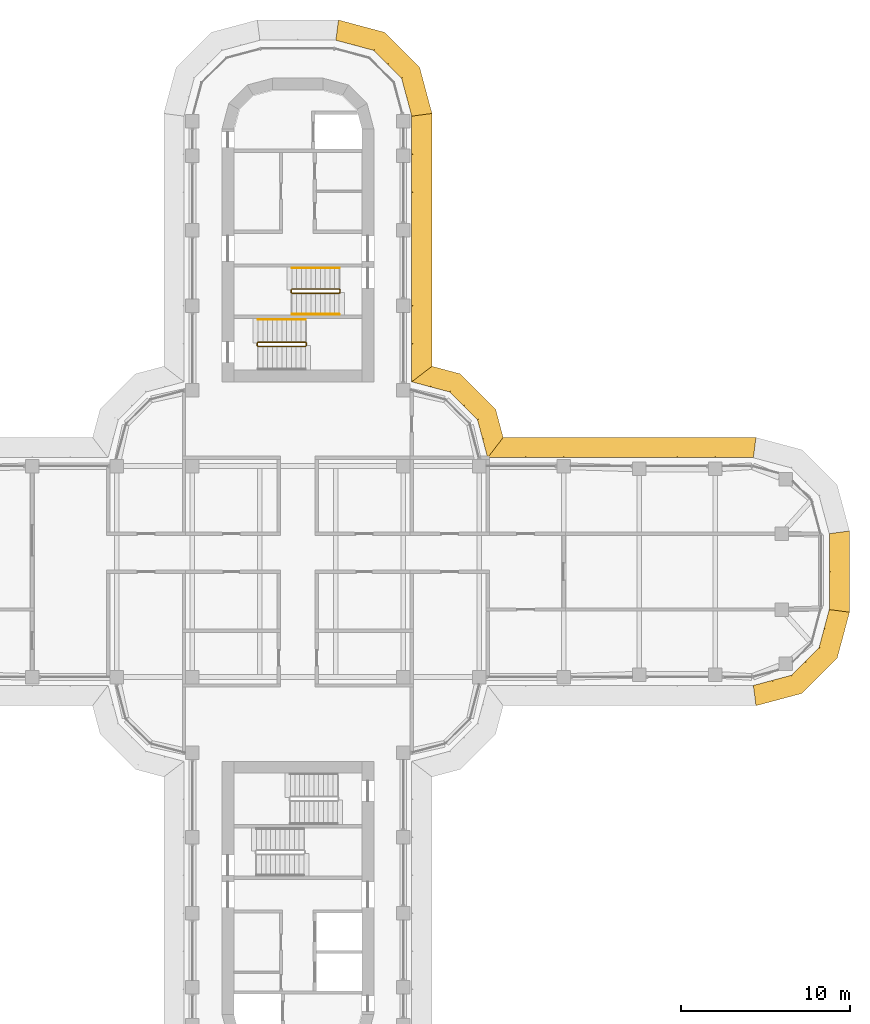
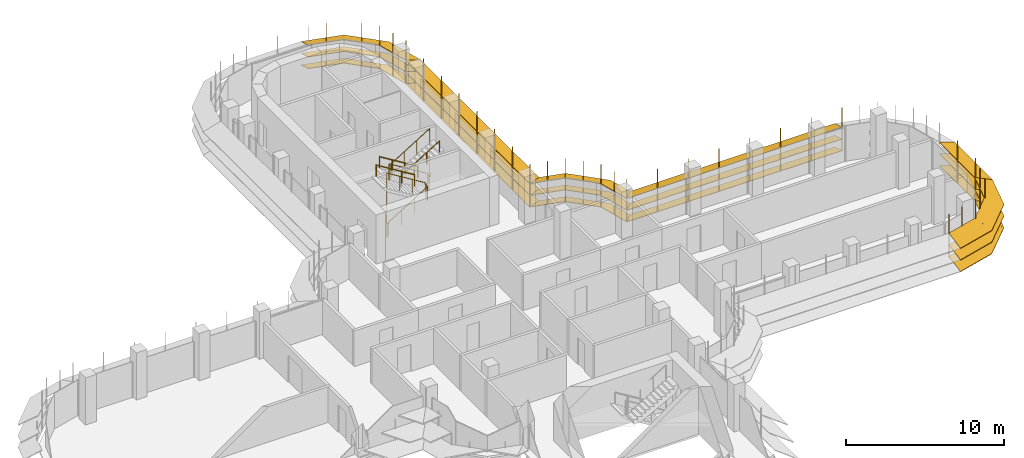
# One storey, part 18 of 19: 6 shading devices, 5 railings.
"""IFC4 building model written with IfcOpenShell, lengths in metres."""

from ifc_helpers import new_model, si_unit, direction, frame, origin, origin_2d, place, context, subcontext, project, spatial, polyline, circle, outline, extrude, faceted_brep, source, transform, mapped, material, type_object, element, save


model = new_model("IFC4")

# Units and contexts
model_context = context("Model", 3, precision=1e-05, world=origin(), true_north=direction((0.0, 1.0)))
body_context = subcontext(model_context, "Body", "Model", "MODEL_VIEW")
ifc_project = project(units=[si_unit("LENGTHUNIT", "METRE"), si_unit("AREAUNIT", "SQUARE_METRE"), si_unit("VOLUMEUNIT", "CUBIC_METRE"), si_unit("PLANEANGLEUNIT", "RADIAN"), si_unit("MASSUNIT", "GRAM", prefix="KILO")], contexts=[model_context])

# Site, building, storey
site_placement = place(None, origin())
site = spatial("IfcSite", under=ifc_project, at=site_placement, CompositionType="ELEMENT")
building_placement = place(site_placement, origin())
building = spatial("IfcBuilding", under=site, at=building_placement, Name="Zarbagh Exchange Tower", CompositionType="ELEMENT")
storey_placement = place(building_placement, frame((0.0, 0.0, 179.0)))
storey = spatial("IfcBuildingStorey", under=building, at=storey_placement, Name="L43", CompositionType="ELEMENT", Elevation=179.0)

# Railings
ifc_material_1 = material(Name="Stainless steel", Category="steel")
railing_type_1 = type_object("IfcRailingType", Name="Stair guard 1100 mm", PredefinedType="GUARDRAIL", material=ifc_material_1)
railing_1_placement = place(storey_placement, frame((-0.35009765625, 16.5, 2.07275390625)))
element("IfcRailing", 1, at=railing_1_placement, inside=storey, type_object=railing_type_1, Name="ST1 stair guard 1", PredefinedType="GUARDRAIL", context=body_context, shape_type="SweptSolid", body=[
    extrude(circle(Radius=0.02392578125, at=origin_2d()), frame((0.0, 0.0, 1.076171875), z_axis=(0.851089632645, 0.0, 0.525020415988), x_axis=(0.0, 1.0, 0.0)), (0.0, 0.0, 1.0), 3.2900390625),
    extrude(circle(Radius=0.02392578125, at=origin_2d()), frame((2.800048828125, 0.0, 2.80322265625), z_axis=(0.013168290981, 0.013168290981, -0.999826581076), x_axis=(-0.707106781187, 0.707106781187, 0.0)), (0.0, 0.0, 1.0), 3.80078125),
    extrude(circle(Radius=0.02392578125, at=origin_2d()), frame((2.85009765625, 0.050048828125, -0.99658203125), z_axis=(0.0, 1.0, 0.0), x_axis=(-1.0, 0.0, 0.0)), (0.0, 0.0, 1.0), 0.14990234375),
    extrude(circle(Radius=0.02392578125, at=origin_2d()), frame((2.85009765625, 0.199951171875, -0.99658203125), z_axis=(-0.268277960024, 0.268277960024, 0.925231793839), x_axis=(-0.707106781187, -0.707106781187, 0.0)), (0.0, 0.0, 1.0), 0.1865234375),
    extrude(circle(Radius=0.02392578125, at=origin_2d()), frame((2.800048828125, 0.25, -0.82421875), z_axis=(-0.851089632645, 0.0, 0.525020415988), x_axis=(0.0, -1.0, 0.0)), (0.0, 0.0, 1.0), 3.2900390625),
    extrude(circle(Radius=0.02392578125, at=origin_2d()), frame((0.0, 0.25, 0.9033203125), z_axis=(-0.705375805398, -0.708833529934, 0.0), x_axis=(0.708833529934, -0.705375805398, 0.0)), (0.0, 0.0, 1.0), 0.070556640625),
    extrude(circle(Radius=0.02392578125, at=origin_2d()), frame((-0.0498046875, 0.199951171875, 0.9033203125), z_axis=(0.0, -1.0, 0.0), x_axis=(1.0, 0.0, 0.0)), (0.0, 0.0, 1.0), 0.14990234375),
    extrude(circle(Radius=0.02099609375, at=origin_2d()), origin(), (0.0, 0.0, 1.0), 1.052001953125),
    extrude(circle(Radius=0.02099609375, at=origin_2d()), frame((0.933349609375, 0.0, 0.57568359375)), (0.0, 0.0, 1.0), 1.052001953125),
    extrude(circle(Radius=0.02099609375, at=origin_2d()), frame((1.86669921875, 0.0, 1.151611328125)), (0.0, 0.0, 1.0), 1.052001953125),
    extrude(circle(Radius=0.02099609375, at=origin_2d()), frame((2.800048828125, 0.0, 1.727294921875)), (0.0, 0.0, 1.0), 1.052001953125),
    extrude(circle(Radius=0.02099609375, at=origin_2d()), frame((2.8125, 0.012451171875, 0.77734375)), (0.0, 0.0, 1.0), 1.052001953125),
    extrude(circle(Radius=0.02099609375, at=origin_2d()), frame((2.8251953125, 0.02490234375, -0.1728515625)), (0.0, 0.0, 1.0), 1.052001953125),
    extrude(circle(Radius=0.02099609375, at=origin_2d()), frame((2.837646484375, 0.03759765625, -1.122802734375)), (0.0, 0.0, 1.0), 1.052001953125),
    extrude(circle(Radius=0.02099609375, at=origin_2d()), frame((2.85009765625, 0.050048828125, -2.07275390625)), (0.0, 0.0, 1.0), 1.052001953125),
    extrude(circle(Radius=0.02099609375, at=origin_2d()), frame((2.85009765625, 0.199951171875, -2.07275390625)), (0.0, 0.0, 1.0), 1.052001953125),
    extrude(circle(Radius=0.02099609375, at=origin_2d()), frame((2.800048828125, 0.25, -1.900146484375)), (0.0, 0.0, 1.0), 1.052001953125),
    extrude(circle(Radius=0.02099609375, at=origin_2d()), frame((1.86669921875, 0.25, -1.324462890625)), (0.0, 0.0, 1.0), 1.052001953125),
    extrude(circle(Radius=0.02099609375, at=origin_2d()), frame((0.933349609375, 0.25, -0.74853515625)), (0.0, 0.0, 1.0), 1.052001953125),
    extrude(circle(Radius=0.02099609375, at=origin_2d()), frame((0.0, 0.25, -0.1728515625)), (0.0, 0.0, 1.0), 1.052001953125),
    extrude(circle(Radius=0.02099609375, at=origin_2d()), frame((-0.0498046875, 0.199951171875, -0.1728515625)), (0.0, 0.0, 1.0), 1.052001953125),
    extrude(circle(Radius=0.02099609375, at=origin_2d()), frame((-0.0498046875, 0.050048828125, -0.1728515625)), (0.0, 0.0, 1.0), 1.052001953125),
])
railing_2_placement = place(storey_placement, frame((0.5, 13.39990234375, 1.89990234375)))
element("IfcRailing", 2, at=railing_2_placement, inside=storey, type_object=railing_type_1, Name="ST2 stair guard 1", PredefinedType="GUARDRAIL", context=body_context, shape_type="SweptSolid", body=[
    extrude(circle(Radius=0.02392578125, at=origin_2d()), frame((0.0, 0.0, 1.076171875), z_axis=(0.0, 1.0, 0.0), x_axis=(-1.0, 0.0, 0.0)), (0.0, 0.0, 1.0), 0.150146484375),
    extrude(circle(Radius=0.02392578125, at=origin_2d()), frame((0.0, 0.150146484375, 1.076171875), z_axis=(-0.267953482034, 0.267953482034, 0.925419830635), x_axis=(-0.707106781187, -0.707106781187, 0.0)), (0.0, 0.0, 1.0), 0.186767578125),
    extrude(circle(Radius=0.02392578125, at=origin_2d()), frame((-0.050048828125, 0.2001953125, 1.2490234375), z_axis=(-0.851089632645, 0.0, 0.525020415988), x_axis=(0.0, -1.0, 0.0)), (0.0, 0.0, 1.0), 3.2900390625),
    extrude(circle(Radius=0.02392578125, at=origin_2d()), frame((-2.85009765625, 0.2001953125, 2.97607421875), z_axis=(-0.013104066473, -0.013168302093, -0.99982742474), x_axis=(0.708833529934, -0.705375805398, 0.0)), (0.0, 0.0, 1.0), 3.80078125),
    extrude(circle(Radius=0.02392578125, at=origin_2d()), frame((-2.89990234375, 0.150146484375, -0.82373046875), z_axis=(0.0, -1.0, 0.0), x_axis=(1.0, 0.0, 0.0)), (0.0, 0.0, 1.0), 0.150146484375),
    extrude(circle(Radius=0.02392578125, at=origin_2d()), frame((-2.89990234375, 0.0, -0.82373046875), z_axis=(0.26715648603, -0.26715648603, 0.925880566782), x_axis=(0.707106781187, 0.707106781187, 0.0)), (0.0, 0.0, 1.0), 0.1865234375),
    extrude(circle(Radius=0.02392578125, at=origin_2d()), frame((-2.85009765625, -0.0498046875, -0.6513671875), z_axis=(0.851089632645, 0.0, 0.525020415988), x_axis=(0.0, 1.0, 0.0)), (0.0, 0.0, 1.0), 3.2900390625),
    extrude(circle(Radius=0.02099609375, at=origin_2d()), origin(), (0.0, 0.0, 1.0), 1.052001953125),
    extrude(circle(Radius=0.02099609375, at=origin_2d()), frame((0.0, 0.150146484375, 0.0)), (0.0, 0.0, 1.0), 1.052001953125),
    extrude(circle(Radius=0.02099609375, at=origin_2d()), frame((-0.050048828125, 0.2001953125, 0.1728515625)), (0.0, 0.0, 1.0), 1.052001953125),
    extrude(circle(Radius=0.02099609375, at=origin_2d()), frame((-0.9833984375, 0.2001953125, 0.74853515625)), (0.0, 0.0, 1.0), 1.052001953125),
    extrude(circle(Radius=0.02099609375, at=origin_2d()), frame((-1.916748046875, 0.2001953125, 1.324462890625)), (0.0, 0.0, 1.0), 1.052001953125),
    extrude(circle(Radius=0.02099609375, at=origin_2d()), frame((-2.85009765625, 0.2001953125, 1.900146484375)), (0.0, 0.0, 1.0), 1.052001953125),
    extrude(circle(Radius=0.02099609375, at=origin_2d()), frame((-2.862548828125, 0.187744140625, 0.9501953125)), (0.0, 0.0, 1.0), 1.052001953125),
    extrude(circle(Radius=0.02099609375, at=origin_2d()), frame((-2.875, 0.17529296875, 0.0)), (0.0, 0.0, 1.0), 1.052001953125),
    extrude(circle(Radius=0.02099609375, at=origin_2d()), frame((-2.887451171875, 0.16259765625, -0.949951171875)), (0.0, 0.0, 1.0), 1.052001953125),
    extrude(circle(Radius=0.02099609375, at=origin_2d()), frame((-2.89990234375, 0.150146484375, -1.89990234375)), (0.0, 0.0, 1.0), 1.052001953125),
    extrude(circle(Radius=0.02099609375, at=origin_2d()), frame((-2.89990234375, 0.0, -1.89990234375)), (0.0, 0.0, 1.0), 1.052001953125),
    extrude(circle(Radius=0.02099609375, at=origin_2d()), frame((-2.85009765625, -0.0498046875, -1.727294921875)), (0.0, 0.0, 1.0), 1.052001953125),
    extrude(circle(Radius=0.02099609375, at=origin_2d()), frame((-1.916748046875, -0.0498046875, -1.151611328125)), (0.0, 0.0, 1.0), 1.052001953125),
    extrude(circle(Radius=0.02099609375, at=origin_2d()), frame((-0.9833984375, -0.0498046875, -0.57568359375)), (0.0, 0.0, 1.0), 1.052001953125),
    extrude(circle(Radius=0.02099609375, at=origin_2d()), frame((-0.050048828125, -0.0498046875, 0.0)), (0.0, 0.0, 1.0), 1.052001953125),
])
railing_type_2 = type_object("IfcRailingType", Name="Stair handrail 900 mm", PredefinedType="HANDRAIL", material=ifc_material_1)
railing_3_placement = place(storey_placement, frame((2.449951171875, 18.0, 0.172607421875)))
element("IfcRailing", 3, at=railing_3_placement, inside=storey, type_object=railing_type_2, Name="ST1 stair handrail 1", PredefinedType="HANDRAIL", context=body_context, shape_type="SweptSolid", body=[
    extrude(circle(Radius=0.02392578125, at=origin_2d()), frame((0.0, 0.0, 0.8759765625), z_axis=(-0.851089632645, 0.0, 0.525020415988), x_axis=(0.0, -1.0, 0.0)), (0.0, 0.0, 1.0), 3.2900390625),
    extrude(circle(Radius=0.02099609375, at=origin_2d()), origin(), (0.0, 0.0, 1.0), 0.851806640625),
    extrude(circle(Radius=0.02099609375, at=origin_2d()), frame((-0.933349609375, 0.0, 0.57568359375)), (0.0, 0.0, 1.0), 0.851806640625),
    extrude(circle(Radius=0.02099609375, at=origin_2d()), frame((-1.86669921875, 0.0, 1.151611328125)), (0.0, 0.0, 1.0), 0.851806640625),
    extrude(circle(Radius=0.02099609375, at=origin_2d()), frame((-2.800048828125, 0.0, 1.727294921875)), (0.0, 0.0, 1.0), 0.851806640625),
])
railing_4_placement = place(storey_placement, frame((-0.35009765625, 15.25, 2.07275390625)))
element("IfcRailing", 4, at=railing_4_placement, inside=storey, type_object=railing_type_2, Name="ST1 stair handrail 2", PredefinedType="HANDRAIL", context=body_context, shape_type="SweptSolid", body=[
    extrude(circle(Radius=0.02392578125, at=origin_2d()), frame((0.0, 0.0, 0.8759765625), z_axis=(0.851089632645, 0.0, 0.525020415988), x_axis=(0.0, 1.0, 0.0)), (0.0, 0.0, 1.0), 3.2900390625),
    extrude(circle(Radius=0.02099609375, at=origin_2d()), origin(), (0.0, 0.0, 1.0), 0.851806640625),
    extrude(circle(Radius=0.02099609375, at=origin_2d()), frame((0.933349609375, 0.0, 0.57568359375)), (0.0, 0.0, 1.0), 0.851806640625),
    extrude(circle(Radius=0.02099609375, at=origin_2d()), frame((1.86669921875, 0.0, 1.151611328125)), (0.0, 0.0, 1.0), 0.851806640625),
    extrude(circle(Radius=0.02099609375, at=origin_2d()), frame((2.800048828125, 0.0, 1.727294921875)), (0.0, 0.0, 1.0), 0.851806640625),
])
railing_5_placement = place(storey_placement, frame((0.449951171875, 14.949951171875, 2.07275390625)))
element("IfcRailing", 5, at=railing_5_placement, inside=storey, type_object=railing_type_2, Name="ST2 stair handrail 2", PredefinedType="HANDRAIL", context=body_context, shape_type="SweptSolid", body=[
    extrude(circle(Radius=0.02392578125, at=origin_2d()), frame((0.0, 0.0, 0.8759765625), z_axis=(-0.851089632645, 0.0, 0.525020415988), x_axis=(0.0, -1.0, 0.0)), (0.0, 0.0, 1.0), 3.2900390625),
    extrude(circle(Radius=0.02099609375, at=origin_2d()), origin(), (0.0, 0.0, 1.0), 0.851806640625),
    extrude(circle(Radius=0.02099609375, at=origin_2d()), frame((-0.933349609375, 0.0, 0.57568359375)), (0.0, 0.0, 1.0), 0.851806640625),
    extrude(circle(Radius=0.02099609375, at=origin_2d()), frame((-1.86669921875, 0.0, 1.151611328125)), (0.0, 0.0, 1.0), 0.851806640625),
    extrude(circle(Radius=0.02099609375, at=origin_2d()), frame((-2.800048828125, 0.0, 1.727294921875)), (0.0, 0.0, 1.0), 0.851806640625),
])

# Shading devices
ifc_material_2 = material(Name="Anodised aluminium blades and brackets", Category="aluminium")
shading_device_type = type_object("IfcShadingDeviceType", Name="SUNSHADE louvre band, 22.5 degree blades", PredefinedType="JALOUSIE", material=ifc_material_2)
shared_shape_1 = source(origin(), body_context, "Body", "Brep", [
    faceted_brep([(0.0, 0.0, 0.0), (0.0, 0.0, -0.043212890625), (-0.157958984375, -1.199951171875, -0.540283203125), (-0.157958984375, -1.199951171875, -0.4970703125), (2.65087890625, -1.199951171875, -0.4970703125), (2.65087890625, -1.199951171875, -0.540283203125), (2.329345703125, 0.0, -0.043212890625), (2.329345703125, 0.0, 0.0)], [[[0, 1, 2, 3]], [[4, 5, 6, 7]], [[0, 7, 6, 1]], [[1, 6, 5, 2]], [[2, 5, 4, 3]], [[3, 4, 7, 0]]]),
])
shared_shape_2 = source(origin(), body_context, "Body", "Brep", [
    faceted_brep([(0.0, 0.0, 0.0), (0.0, 0.0, -0.043212890625), (-0.321533203125, -1.199951171875, -0.540283203125), (-0.321533203125, -1.199951171875, -0.4970703125), (2.65087890625, -1.199951171875, -0.4970703125), (2.65087890625, -1.199951171875, -0.540283203125), (2.329345703125, 0.0, -0.043212890625), (2.329345703125, 0.0, 0.0)], [[[0, 1, 2, 3]], [[4, 5, 6, 7]], [[0, 7, 6, 1]], [[1, 6, 5, 2]], [[2, 5, 4, 3]], [[3, 4, 7, 0]]]),
])
shared_shape_3 = source(origin(), body_context, "Body", "Brep", [
    faceted_brep([(0.0, 0.0, 0.0), (0.0, 0.0, -0.043212890625), (-0.321533203125, -1.199951171875, -0.540283203125), (-0.321533203125, -1.199951171875, -0.4970703125), (2.4873046875, -1.199951171875, -0.4970703125), (2.4873046875, -1.199951171875, -0.540283203125), (2.329345703125, 0.0, -0.043212890625), (2.329345703125, 0.0, 0.0)], [[[0, 1, 2, 3]], [[4, 5, 6, 7]], [[0, 7, 6, 1]], [[1, 6, 5, 2]], [[2, 5, 4, 3]], [[3, 4, 7, 0]]]),
])
shared_shape_4 = source(origin(), body_context, "Body", "SweptSolid", [
    extrude(outline(polyline([(0.0, -0.012451171875), (0.06005859375, -0.012451171875), (0.06005859375, 0.012451171875), (0.0, 0.012451171875), (0.0, -0.012451171875)])), origin(), (0.0, 0.0, 1.0), 3.353271484375),
])
placement = place(storey_placement, origin())
element("IfcShadingDevice", 6, at=placement, inside=storey, type_object=shading_device_type, Name="SS31 sunshade band", PredefinedType="JALOUSIE", context=body_context, shape_type="MappedRepresentation", body=[
    mapped(shared_shape_1, transform((27.0, -6.75, 2.300048828125), x_axis=(0.965924289636, 0.258824779902, 0.0), y_axis=(-0.258824779902, 0.965924289636, 0.0), z_axis=(0.0, 0.0, 1.0))),
    mapped(shared_shape_1, transform((27.0, -6.75, 1.39990234375), x_axis=(0.965924289636, 0.258824779902, 0.0), y_axis=(-0.258824779902, 0.965924289636, 0.0), z_axis=(0.0, 0.0, 1.0))),
    mapped(shared_shape_1, transform((27.0, -6.75, 0.5), x_axis=(0.965924289636, 0.258824779902, 0.0), y_axis=(-0.258824779902, 0.965924289636, 0.0), z_axis=(0.0, 0.0, 1.0))),
    mapped(shared_shape_2, transform((29.25, -6.147216796875, 2.300048828125), x_axis=(0.707106781187, 0.707106781187, 0.0), y_axis=(-0.707106781187, 0.707106781187, 0.0), z_axis=(0.0, 0.0, 1.0))),
    mapped(shared_shape_2, transform((29.25, -6.147216796875, 1.39990234375), x_axis=(0.707106781187, 0.707106781187, 0.0), y_axis=(-0.707106781187, 0.707106781187, 0.0), z_axis=(0.0, 0.0, 1.0))),
    mapped(shared_shape_2, transform((29.25, -6.147216796875, 0.5), x_axis=(0.707106781187, 0.707106781187, 0.0), y_axis=(-0.707106781187, 0.707106781187, 0.0), z_axis=(0.0, 0.0, 1.0))),
    mapped(shared_shape_3, transform((30.897216796875, -4.5, 2.300048828125), x_axis=(0.258824779902, 0.965924289636, 0.0), y_axis=(-0.965924289636, 0.258824779902, 0.0), z_axis=(0.0, 0.0, 1.0))),
    mapped(shared_shape_3, transform((30.897216796875, -4.5, 1.39990234375), x_axis=(0.258824779902, 0.965924289636, 0.0), y_axis=(-0.965924289636, 0.258824779902, 0.0), z_axis=(0.0, 0.0, 1.0))),
    mapped(shared_shape_3, transform((30.897216796875, -4.5, 0.5), x_axis=(0.258824779902, 0.965924289636, 0.0), y_axis=(-0.965924289636, 0.258824779902, 0.0), z_axis=(0.0, 0.0, 1.0))),
    mapped(shared_shape_4, transform((27.0, -6.75, 0.4267578125), x_axis=(0.130529263012, -0.991444457092, 0.0), y_axis=(0.991444457092, 0.130529263012, 0.0), z_axis=(0.0, 0.0, 1.0))),
    mapped(shared_shape_4, transform((28.125, -6.448486328125, 0.4267578125), x_axis=(0.258825058029, -0.96592421511, 0.0), y_axis=(0.96592421511, 0.258825058029, 0.0), z_axis=(0.0, 0.0, 1.0))),
    mapped(shared_shape_4, transform((29.25, -6.147216796875, 0.4267578125), x_axis=(0.50000275701, -0.866023812018, 0.0), y_axis=(0.866023812018, 0.50000275701, 0.0), z_axis=(0.0, 0.0, 1.0))),
    mapped(shared_shape_4, transform((30.073486328125, -5.323486328125, 0.4267578125), x_axis=(0.707106781187, -0.707106781187, 0.0), y_axis=(0.707106781187, 0.707106781187, 0.0), z_axis=(0.0, 0.0, 1.0))),
    mapped(shared_shape_4, transform((30.897216796875, -4.5, 0.4267578125), x_axis=(0.866023812018, -0.50000275701, 0.0), y_axis=(0.50000275701, 0.866023812018, 0.0), z_axis=(0.0, 0.0, 1.0))),
    mapped(shared_shape_4, transform((31.198486328125, -3.375, 0.4267578125), x_axis=(0.96592421511, -0.258825058029, 0.0), y_axis=(0.258825058029, 0.96592421511, 0.0), z_axis=(0.0, 0.0, 1.0))),
])
element("IfcShadingDevice", 7, at=placement, inside=storey, type_object=shading_device_type, Name="SS26 sunshade band", PredefinedType="JALOUSIE", context=body_context, shape_type="MappedRepresentation", body=[
    mapped(shared_shape_1, transform((6.75, 27.0, 2.300048828125), x_axis=(-0.258824779902, 0.965924289636, 0.0), y_axis=(-0.965924289636, -0.258824779902, 0.0), z_axis=(0.0, 0.0, 1.0))),
    mapped(shared_shape_1, transform((6.75, 27.0, 1.39990234375), x_axis=(-0.258824779902, 0.965924289636, 0.0), y_axis=(-0.965924289636, -0.258824779902, 0.0), z_axis=(0.0, 0.0, 1.0))),
    mapped(shared_shape_1, transform((6.75, 27.0, 0.5), x_axis=(-0.258824779902, 0.965924289636, 0.0), y_axis=(-0.965924289636, -0.258824779902, 0.0), z_axis=(0.0, 0.0, 1.0))),
    mapped(shared_shape_2, transform((6.147216796875, 29.25, 2.300048828125), x_axis=(-0.707106781187, 0.707106781187, 0.0), y_axis=(-0.707106781187, -0.707106781187, 0.0), z_axis=(0.0, 0.0, 1.0))),
    mapped(shared_shape_2, transform((6.147216796875, 29.25, 1.39990234375), x_axis=(-0.707106781187, 0.707106781187, 0.0), y_axis=(-0.707106781187, -0.707106781187, 0.0), z_axis=(0.0, 0.0, 1.0))),
    mapped(shared_shape_2, transform((6.147216796875, 29.25, 0.5), x_axis=(-0.707106781187, 0.707106781187, 0.0), y_axis=(-0.707106781187, -0.707106781187, 0.0), z_axis=(0.0, 0.0, 1.0))),
    mapped(shared_shape_3, transform((4.5, 30.897216796875, 2.300048828125), x_axis=(-0.965924289636, 0.258824779902, 0.0), y_axis=(-0.258824779902, -0.965924289636, 0.0), z_axis=(0.0, 0.0, 1.0))),
    mapped(shared_shape_3, transform((4.5, 30.897216796875, 1.39990234375), x_axis=(-0.965924289636, 0.258824779902, 0.0), y_axis=(-0.258824779902, -0.965924289636, 0.0), z_axis=(0.0, 0.0, 1.0))),
    mapped(shared_shape_3, transform((4.5, 30.897216796875, 0.5), x_axis=(-0.965924289636, 0.258824779902, 0.0), y_axis=(-0.258824779902, -0.965924289636, 0.0), z_axis=(0.0, 0.0, 1.0))),
    mapped(shared_shape_4, transform((6.75, 27.0, 0.4267578125), x_axis=(0.991444457092, 0.130529263012, 0.0), y_axis=(-0.130529263012, 0.991444457092, 0.0), z_axis=(0.0, 0.0, 1.0))),
    mapped(shared_shape_4, transform((6.448486328125, 28.125, 0.4267578125), x_axis=(0.96592421511, 0.258825058029, 0.0), y_axis=(-0.258825058029, 0.96592421511, 0.0), z_axis=(0.0, 0.0, 1.0))),
    mapped(shared_shape_4, transform((6.147216796875, 29.25, 0.4267578125), x_axis=(0.866023812018, 0.50000275701, 0.0), y_axis=(-0.50000275701, 0.866023812018, 0.0), z_axis=(0.0, 0.0, 1.0))),
    mapped(shared_shape_4, transform((5.323486328125, 30.073486328125, 0.4267578125), x_axis=(0.707106781187, 0.707106781187, 0.0), y_axis=(-0.707106781187, 0.707106781187, 0.0), z_axis=(0.0, 0.0, 1.0))),
    mapped(shared_shape_4, transform((4.5, 30.897216796875, 0.4267578125), x_axis=(0.50000275701, 0.866023812018, 0.0), y_axis=(-0.866023812018, 0.50000275701, 0.0), z_axis=(0.0, 0.0, 1.0))),
    mapped(shared_shape_4, transform((3.375, 31.198486328125, 0.4267578125), x_axis=(0.258825058029, 0.96592421511, 0.0), y_axis=(-0.96592421511, 0.258825058029, 0.0), z_axis=(0.0, 0.0, 1.0))),
])
shared_shape_5 = source(origin(), body_context, "Body", "Brep", [
    faceted_brep([(0.0, 0.0, 0.0), (0.0, 0.0, -0.043212890625), (0.9208984375, -1.199951171875, -0.540283203125), (0.9208984375, -1.199951171875, -0.4970703125), (2.65087890625, -1.199951171875, -0.4970703125), (2.65087890625, -1.199951171875, -0.540283203125), (2.329345703125, 0.0, -0.043212890625), (2.329345703125, 0.0, 0.0)], [[[0, 1, 2, 3]], [[4, 5, 6, 7]], [[0, 7, 6, 1]], [[1, 6, 5, 2]], [[2, 5, 4, 3]], [[3, 4, 7, 0]]]),
])
shared_shape_6 = source(origin(), body_context, "Body", "Brep", [
    faceted_brep([(0.0, 0.0, 0.0), (0.0, 0.0, -0.043212890625), (-0.321533203125, -1.199951171875, -0.540283203125), (-0.321533203125, -1.199951171875, -0.4970703125), (1.40869140625, -1.199951171875, -0.4970703125), (1.40869140625, -1.199951171875, -0.540283203125), (2.329345703125, 0.0, -0.043212890625), (2.329345703125, 0.0, 0.0)], [[[0, 1, 2, 3]], [[4, 5, 6, 7]], [[0, 7, 6, 1]], [[1, 6, 5, 2]], [[2, 5, 4, 3]], [[3, 4, 7, 0]]]),
])
element("IfcShadingDevice", 8, at=placement, inside=storey, type_object=shading_device_type, Name="SS09 sunshade band", PredefinedType="JALOUSIE", context=body_context, shape_type="MappedRepresentation", body=[
    mapped(shared_shape_5, transform((11.25, 6.75, 2.300048828125), x_axis=(-0.258824779902, 0.965924289636, 0.0), y_axis=(-0.965924289636, -0.258824779902, 0.0), z_axis=(0.0, 0.0, 1.0))),
    mapped(shared_shape_5, transform((11.25, 6.75, 1.39990234375), x_axis=(-0.258824779902, 0.965924289636, 0.0), y_axis=(-0.965924289636, -0.258824779902, 0.0), z_axis=(0.0, 0.0, 1.0))),
    mapped(shared_shape_5, transform((11.25, 6.75, 0.5), x_axis=(-0.258824779902, 0.965924289636, 0.0), y_axis=(-0.965924289636, -0.258824779902, 0.0), z_axis=(0.0, 0.0, 1.0))),
    mapped(shared_shape_2, transform((10.647216796875, 9.0, 2.300048828125), x_axis=(-0.707106781187, 0.707106781187, 0.0), y_axis=(-0.707106781187, -0.707106781187, 0.0), z_axis=(0.0, 0.0, 1.0))),
    mapped(shared_shape_2, transform((10.647216796875, 9.0, 1.39990234375), x_axis=(-0.707106781187, 0.707106781187, 0.0), y_axis=(-0.707106781187, -0.707106781187, 0.0), z_axis=(0.0, 0.0, 1.0))),
    mapped(shared_shape_2, transform((10.647216796875, 9.0, 0.5), x_axis=(-0.707106781187, 0.707106781187, 0.0), y_axis=(-0.707106781187, -0.707106781187, 0.0), z_axis=(0.0, 0.0, 1.0))),
    mapped(shared_shape_6, transform((9.0, 10.647216796875, 2.300048828125), x_axis=(-0.965924289636, 0.258824779902, 0.0), y_axis=(-0.258824779902, -0.965924289636, 0.0), z_axis=(0.0, 0.0, 1.0))),
    mapped(shared_shape_6, transform((9.0, 10.647216796875, 1.39990234375), x_axis=(-0.965924289636, 0.258824779902, 0.0), y_axis=(-0.258824779902, -0.965924289636, 0.0), z_axis=(0.0, 0.0, 1.0))),
    mapped(shared_shape_6, transform((9.0, 10.647216796875, 0.5), x_axis=(-0.965924289636, 0.258824779902, 0.0), y_axis=(-0.258824779902, -0.965924289636, 0.0), z_axis=(0.0, 0.0, 1.0))),
    mapped(shared_shape_4, transform((11.25, 6.75, 0.4267578125), x_axis=(0.608758892, 0.793355287, 0.0), y_axis=(-0.793355287, 0.608758892, 0.0), z_axis=(0.0, 0.0, 1.0))),
    mapped(shared_shape_4, transform((10.948486328125, 7.875, 0.4267578125), x_axis=(0.96592421511, 0.258825058029, 0.0), y_axis=(-0.258825058029, 0.96592421511, 0.0), z_axis=(0.0, 0.0, 1.0))),
    mapped(shared_shape_4, transform((10.647216796875, 9.0, 0.4267578125), x_axis=(0.866023812018, 0.50000275701, 0.0), y_axis=(-0.50000275701, 0.866023812018, 0.0), z_axis=(0.0, 0.0, 1.0))),
    mapped(shared_shape_4, transform((9.823486328125, 9.823486328125, 0.4267578125), x_axis=(0.707106781187, 0.707106781187, 0.0), y_axis=(-0.707106781187, 0.707106781187, 0.0), z_axis=(0.0, 0.0, 1.0))),
    mapped(shared_shape_4, transform((9.0, 10.647216796875, 0.4267578125), x_axis=(0.50000275701, 0.866023812018, 0.0), y_axis=(-0.866023812018, 0.50000275701, 0.0), z_axis=(0.0, 0.0, 1.0))),
    mapped(shared_shape_4, transform((7.875, 10.948486328125, 0.4267578125), x_axis=(0.258825058029, 0.96592421511, 0.0), y_axis=(-0.96592421511, 0.258825058029, 0.0), z_axis=(0.0, 0.0, 1.0))),
])
shared_shape_7 = source(origin(), body_context, "Body", "Brep", [
    faceted_brep([(0.0, 0.0, 0.0), (0.0, 0.0, -0.043212890625), (-0.157958984375, -1.199951171875, -0.540283203125), (-0.157958984375, -1.199951171875, -0.4970703125), (4.657958984375, -1.199951171875, -0.4970703125), (4.657958984375, -1.199951171875, -0.540283203125), (4.5, 0.0, -0.043212890625), (4.5, 0.0, 0.0)], [[[0, 1, 2, 3]], [[4, 5, 6, 7]], [[0, 7, 6, 1]], [[1, 6, 5, 2]], [[2, 5, 4, 3]], [[3, 4, 7, 0]]]),
])
element("IfcShadingDevice", 9, at=placement, inside=storey, type_object=shading_device_type, Name="SS32 sunshade band", PredefinedType="JALOUSIE", context=body_context, shape_type="MappedRepresentation", body=[
    mapped(shared_shape_7, transform((31.5, -2.25, 2.300048828125), x_axis=(0.0, 1.0, 0.0), y_axis=(-1.0, 0.0, 0.0), z_axis=(0.0, 0.0, 1.0))),
    mapped(shared_shape_7, transform((31.5, -2.25, 1.39990234375), x_axis=(0.0, 1.0, 0.0), y_axis=(-1.0, 0.0, 0.0), z_axis=(0.0, 0.0, 1.0))),
    mapped(shared_shape_7, transform((31.5, -2.25, 0.5), x_axis=(0.0, 1.0, 0.0), y_axis=(-1.0, 0.0, 0.0), z_axis=(0.0, 0.0, 1.0))),
    mapped(shared_shape_4, transform((31.5, -2.25, 0.4267578125), x_axis=(0.991444457092, -0.130529263012, 0.0), y_axis=(0.130529263012, 0.991444457092, 0.0), z_axis=(0.0, 0.0, 1.0))),
    mapped(shared_shape_4, transform((31.5, 0.0, 0.4267578125), x_axis=(1.0, 0.0, 0.0), y_axis=(0.0, 1.0, 0.0), z_axis=(0.0, 0.0, 1.0))),
])
shared_shape_8 = source(origin(), body_context, "Body", "Brep", [
    faceted_brep([(0.0, 0.0, 0.0), (0.0, 0.0, -0.043212890625), (-0.157958984375, -1.199951171875, -0.540283203125), (-0.157958984375, -1.199951171875, -0.4970703125), (14.8291015625, -1.199951171875, -0.4970703125), (14.8291015625, -1.199951171875, -0.540283203125), (15.75, 0.0, -0.043212890625), (15.75, 0.0, 0.0)], [[[0, 1, 2, 3]], [[4, 5, 6, 7]], [[0, 7, 6, 1]], [[1, 6, 5, 2]], [[2, 5, 4, 3]], [[3, 4, 7, 0]]]),
])
element("IfcShadingDevice", 10, at=placement, inside=storey, type_object=shading_device_type, Name="SS34 sunshade band", PredefinedType="JALOUSIE", context=body_context, shape_type="MappedRepresentation", body=[
    mapped(shared_shape_8, transform((27.0, 6.75, 2.300048828125), x_axis=(-1.0, 0.0, 0.0), y_axis=(0.0, -1.0, 0.0), z_axis=(0.0, 0.0, 1.0))),
    mapped(shared_shape_8, transform((27.0, 6.75, 1.39990234375), x_axis=(-1.0, 0.0, 0.0), y_axis=(0.0, -1.0, 0.0), z_axis=(0.0, 0.0, 1.0))),
    mapped(shared_shape_8, transform((27.0, 6.75, 0.5), x_axis=(-1.0, 0.0, 0.0), y_axis=(0.0, -1.0, 0.0), z_axis=(0.0, 0.0, 1.0))),
    mapped(shared_shape_4, transform((27.0, 6.75, 0.4267578125), x_axis=(0.130529263012, 0.991444457092, 0.0), y_axis=(-0.991444457092, 0.130529263012, 0.0), z_axis=(0.0, 0.0, 1.0))),
    mapped(shared_shape_4, transform((24.75, 6.75, 0.4267578125), x_axis=(0.0, 1.0, 0.0), y_axis=(-1.0, 0.0, 0.0), z_axis=(0.0, 0.0, 1.0))),
    mapped(shared_shape_4, transform((22.5, 6.75, 0.4267578125), x_axis=(0.0, 1.0, 0.0), y_axis=(-1.0, 0.0, 0.0), z_axis=(0.0, 0.0, 1.0))),
    mapped(shared_shape_4, transform((20.25, 6.75, 0.4267578125), x_axis=(0.0, 1.0, 0.0), y_axis=(-1.0, 0.0, 0.0), z_axis=(0.0, 0.0, 1.0))),
    mapped(shared_shape_4, transform((18.0, 6.75, 0.4267578125), x_axis=(0.0, 1.0, 0.0), y_axis=(-1.0, 0.0, 0.0), z_axis=(0.0, 0.0, 1.0))),
    mapped(shared_shape_4, transform((15.75, 6.75, 0.4267578125), x_axis=(0.0, 1.0, 0.0), y_axis=(-1.0, 0.0, 0.0), z_axis=(0.0, 0.0, 1.0))),
    mapped(shared_shape_4, transform((13.5, 6.75, 0.4267578125), x_axis=(0.0, 1.0, 0.0), y_axis=(-1.0, 0.0, 0.0), z_axis=(0.0, 0.0, 1.0))),
])
shared_shape_9 = source(origin(), body_context, "Body", "Brep", [
    faceted_brep([(0.0, 0.0, 0.0), (0.0, 0.0, -0.043212890625), (0.9208984375, -1.199951171875, -0.540283203125), (0.9208984375, -1.199951171875, -0.4970703125), (15.907958984375, -1.199951171875, -0.4970703125), (15.907958984375, -1.199951171875, -0.540283203125), (15.75, 0.0, -0.043212890625), (15.75, 0.0, 0.0)], [[[0, 1, 2, 3]], [[4, 5, 6, 7]], [[0, 7, 6, 1]], [[1, 6, 5, 2]], [[2, 5, 4, 3]], [[3, 4, 7, 0]]]),
])
element("IfcShadingDevice", 11, at=placement, inside=storey, type_object=shading_device_type, Name="SS25 sunshade band", PredefinedType="JALOUSIE", context=body_context, shape_type="MappedRepresentation", body=[
    mapped(shared_shape_9, transform((6.75, 11.25, 2.300048828125), x_axis=(0.0, 1.0, 0.0), y_axis=(-1.0, 0.0, 0.0), z_axis=(0.0, 0.0, 1.0))),
    mapped(shared_shape_9, transform((6.75, 11.25, 1.39990234375), x_axis=(0.0, 1.0, 0.0), y_axis=(-1.0, 0.0, 0.0), z_axis=(0.0, 0.0, 1.0))),
    mapped(shared_shape_9, transform((6.75, 11.25, 0.5), x_axis=(0.0, 1.0, 0.0), y_axis=(-1.0, 0.0, 0.0), z_axis=(0.0, 0.0, 1.0))),
    mapped(shared_shape_4, transform((6.75, 11.25, 0.4267578125), x_axis=(0.793355287, 0.608758892, 0.0), y_axis=(-0.608758892, 0.793355287, 0.0), z_axis=(0.0, 0.0, 1.0))),
    mapped(shared_shape_4, transform((6.75, 13.5, 0.4267578125), x_axis=(1.0, 0.0, 0.0), y_axis=(0.0, 1.0, 0.0), z_axis=(0.0, 0.0, 1.0))),
    mapped(shared_shape_4, transform((6.75, 15.75, 0.4267578125), x_axis=(1.0, 0.0, 0.0), y_axis=(0.0, 1.0, 0.0), z_axis=(0.0, 0.0, 1.0))),
    mapped(shared_shape_4, transform((6.75, 18.0, 0.4267578125), x_axis=(1.0, 0.0, 0.0), y_axis=(0.0, 1.0, 0.0), z_axis=(0.0, 0.0, 1.0))),
    mapped(shared_shape_4, transform((6.75, 20.25, 0.4267578125), x_axis=(1.0, 0.0, 0.0), y_axis=(0.0, 1.0, 0.0), z_axis=(0.0, 0.0, 1.0))),
    mapped(shared_shape_4, transform((6.75, 22.5, 0.4267578125), x_axis=(1.0, 0.0, 0.0), y_axis=(0.0, 1.0, 0.0), z_axis=(0.0, 0.0, 1.0))),
    mapped(shared_shape_4, transform((6.75, 24.75, 0.4267578125), x_axis=(1.0, 0.0, 0.0), y_axis=(0.0, 1.0, 0.0), z_axis=(0.0, 0.0, 1.0))),
])

save(model, "model.ifc")
